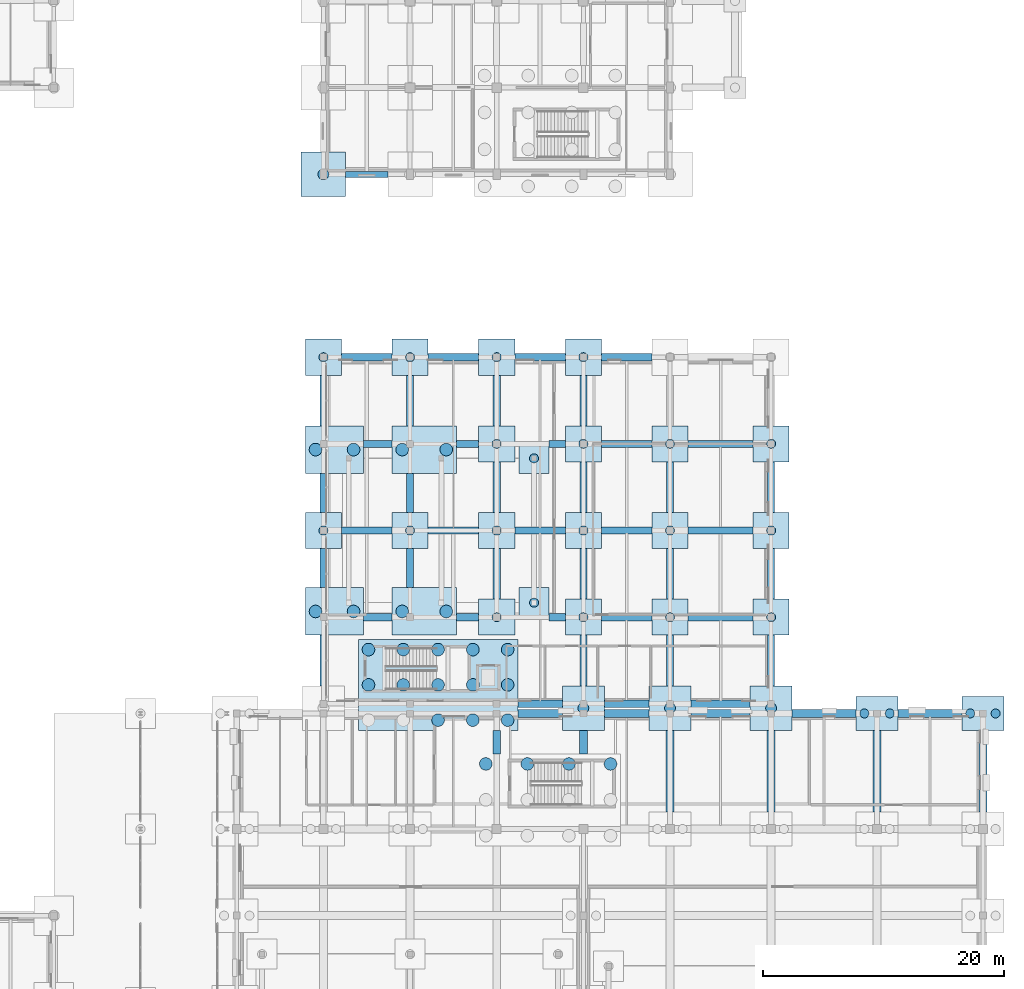
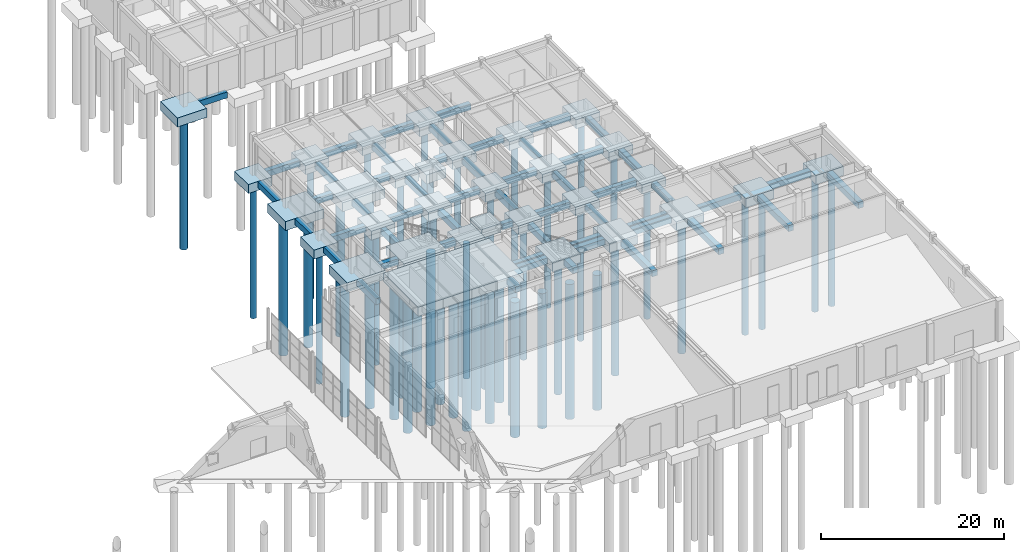
# One storey, part 6 of 91: 85 footings, 53 piles.
"""IFC4 building model written with IfcOpenShell, lengths in metres."""

from ifc_helpers import new_model, si_unit, direction, frame, origin, origin_2d, place, context, subcontext, project, spatial, rectangle, circle, extrude, material, material_profile, profile_set, type_object, element, save


model = new_model("IFC4")

# Units and contexts
model_context = context("Model", 3, precision=1e-05, world=origin(), true_north=direction((0.0, 1.0)))
body_context = subcontext(model_context, "Body", "Model", "MODEL_VIEW")
ifc_project = project(units=[si_unit("LENGTHUNIT", "METRE"), si_unit("AREAUNIT", "SQUARE_METRE"), si_unit("VOLUMEUNIT", "CUBIC_METRE"), si_unit("PLANEANGLEUNIT", "RADIAN"), si_unit("MASSUNIT", "GRAM", prefix="KILO")], contexts=[model_context])

# Site, building, storey
site_placement = place(None, origin())
site = spatial("IfcSite", under=ifc_project, at=site_placement, CompositionType="ELEMENT")
building_placement = place(site_placement, origin())
building = spatial("IfcBuilding", under=site, at=building_placement, Name="Bramveld Media Centre", CompositionType="ELEMENT")
storey_placement = place(building_placement, origin())
storey = spatial("IfcBuildingStorey", under=building, at=storey_placement, Name="L00", CompositionType="ELEMENT", Elevation=0.0)

# Footings
ifc_material_1 = material(Name="Concrete C35/45", Category="concrete")
footing_type_1 = type_object("IfcFootingType", Name="GB-500x800", PredefinedType="FOOTING_BEAM", material=ifc_material_1)
footing_1_placement = place(storey_placement, frame((134.800048828125, 83.199951171875, -0.7998046875), z_axis=(0.0, 0.0, 1.0), x_axis=(1.0, 0.0, 0.0)))
element("IfcFooting", 1, at=footing_1_placement, inside=storey, type_object=footing_type_1, Name="V7 ground beam X-323", PredefinedType="FOOTING_BEAM", context=body_context, shape_type="SweptSolid", body=[
    extrude(rectangle(XDim=3.5, YDim=0.5, at=origin_2d()), origin(), (0.0, 0.0, 1.0), 0.800048828125),
])
ifc_material_2 = material(Name="Concrete C35/45", Category="concrete")
footing_type_2 = type_object("IfcFootingType", Name="GB-600x800", PredefinedType="FOOTING_BEAM", material=ifc_material_2)
for number, where, z_axis, x_axis, name in (
    (2, (149.199951171875, 39.199951171875, -0.7998046875), (0.0, 0.0, 1.0), (1.0, 0.0, 0.0), "V4 ground beam X-161"),
    (3, (156.39990234375, 39.199951171875, -0.7998046875), (0.0, 0.0, 1.0), (1.0, 0.0, 0.0), "V4 ground beam X-162"),
):
    element("IfcFooting", number, at=place(storey_placement, frame(where, z_axis=z_axis, x_axis=x_axis)), inside=storey, type_object=footing_type_2, Name=name, PredefinedType="FOOTING_BEAM", context=body_context, shape_type="SweptSolid", body=[
        extrude(rectangle(XDim=3.699951171875, YDim=0.60009765625, at=origin_2d()), origin(), (0.0, 0.0, 1.0), 0.800048828125),
    ])
footing_2_placement = place(storey_placement, frame((164.199951171875, 39.199951171875, -0.7998046875), z_axis=(0.0, 0.0, 1.0), x_axis=(1.0, 0.0, 0.0)))
element("IfcFooting", 4, at=footing_2_placement, inside=storey, type_object=footing_type_2, Name="V4 ground beam X-163", PredefinedType="FOOTING_BEAM", context=body_context, shape_type="SweptSolid", body=[
    extrude(rectangle(XDim=4.89990234375, YDim=0.60009765625, at=origin_2d()), origin(), (0.0, 0.0, 1.0), 0.800048828125),
])
footing_3_placement = place(storey_placement, frame((135.72509765625, 46.39990234375, -0.7998046875), z_axis=(0.0, 0.0, 1.0), x_axis=(1.0, 0.0, 0.0)))
element("IfcFooting", 5, at=footing_3_placement, inside=storey, type_object=footing_type_2, Name="V4 ground beam X-164", PredefinedType="FOOTING_BEAM", context=body_context, shape_type="SweptSolid", body=[
    extrude(rectangle(XDim=2.35009765625, YDim=0.60009765625, at=origin_2d()), origin(), (0.0, 0.0, 1.0), 0.800048828125),
])
footing_4_placement = place(storey_placement, frame((143.175048828125, 46.39990234375, -0.7998046875), z_axis=(0.0, 0.0, 1.0), x_axis=(1.0, 0.0, 0.0)))
element("IfcFooting", 6, at=footing_4_placement, inside=storey, type_object=footing_type_2, Name="V4 ground beam X-165", PredefinedType="FOOTING_BEAM", context=body_context, shape_type="SweptSolid", body=[
    extrude(rectangle(XDim=1.85009765625, YDim=0.60009765625, at=origin_2d()), origin(), (0.0, 0.0, 1.0), 0.800048828125),
])
footing_5_placement = place(storey_placement, frame((150.625, 46.39990234375, -0.7998046875), z_axis=(0.0, 0.0, 1.0), x_axis=(1.0, 0.0, 0.0)))
element("IfcFooting", 7, at=footing_5_placement, inside=storey, type_object=footing_type_2, Name="V4 ground beam X-166", PredefinedType="FOOTING_BEAM", context=body_context, shape_type="SweptSolid", body=[
    extrude(rectangle(XDim=1.35009765625, YDim=0.60009765625, at=origin_2d()), origin(), (0.0, 0.0, 1.0), 0.800048828125),
])
footing_6_placement = place(storey_placement, frame((156.39990234375, 46.39990234375, -0.7998046875), z_axis=(0.0, 0.0, 1.0), x_axis=(1.0, 0.0, 0.0)))
element("IfcFooting", 8, at=footing_6_placement, inside=storey, type_object=footing_type_2, Name="V4 ground beam X-167", PredefinedType="FOOTING_BEAM", context=body_context, shape_type="SweptSolid", body=[
    extrude(rectangle(XDim=4.199951171875, YDim=0.60009765625, at=origin_2d()), origin(), (0.0, 0.0, 1.0), 0.800048828125),
])
footing_7_placement = place(storey_placement, frame((164.199951171875, 46.39990234375, -0.7998046875), z_axis=(0.0, 0.0, 1.0), x_axis=(1.0, 0.0, 0.0)))
element("IfcFooting", 9, at=footing_7_placement, inside=storey, type_object=footing_type_2, Name="V4 ground beam X-168", PredefinedType="FOOTING_BEAM", context=body_context, shape_type="SweptSolid", body=[
    extrude(rectangle(XDim=5.39990234375, YDim=0.60009765625, at=origin_2d()), origin(), (0.0, 0.0, 1.0), 0.800048828125),
])
for number, where, z_axis, x_axis, name in (
    (10, (134.800048828125, 53.60009765625, -0.7998046875), (0.0, 0.0, 1.0), (1.0, 0.0, 0.0), "V4 ground beam X-169"),
    (11, (142.0, 53.60009765625, -0.7998046875), (0.0, 0.0, 1.0), (1.0, 0.0, 0.0), "V4 ground beam X-170"),
    (12, (149.199951171875, 53.60009765625, -0.7998046875), (0.0, 0.0, 1.0), (1.0, 0.0, 0.0), "V4 ground beam X-171"),
    (13, (156.39990234375, 53.60009765625, -0.7998046875), (0.0, 0.0, 1.0), (1.0, 0.0, 0.0), "V4 ground beam X-172"),
):
    element("IfcFooting", number, at=place(storey_placement, frame(where, z_axis=z_axis, x_axis=x_axis)), inside=storey, type_object=footing_type_2, Name=name, PredefinedType="FOOTING_BEAM", context=body_context, shape_type="SweptSolid", body=[
        extrude(rectangle(XDim=4.199951171875, YDim=0.60009765625, at=origin_2d()), origin(), (0.0, 0.0, 1.0), 0.800048828125),
    ])
footing_8_placement = place(storey_placement, frame((164.199951171875, 53.60009765625, -0.7998046875), z_axis=(0.0, 0.0, 1.0), x_axis=(1.0, 0.0, 0.0)))
element("IfcFooting", 14, at=footing_8_placement, inside=storey, type_object=footing_type_2, Name="V4 ground beam X-173", PredefinedType="FOOTING_BEAM", context=body_context, shape_type="SweptSolid", body=[
    extrude(rectangle(XDim=5.39990234375, YDim=0.60009765625, at=origin_2d()), origin(), (0.0, 0.0, 1.0), 0.800048828125),
])
footing_9_placement = place(storey_placement, frame((135.72509765625, 60.800048828125, -0.7998046875), z_axis=(0.0, 0.0, 1.0), x_axis=(1.0, 0.0, 0.0)))
element("IfcFooting", 15, at=footing_9_placement, inside=storey, type_object=footing_type_2, Name="V4 ground beam X-174", PredefinedType="FOOTING_BEAM", context=body_context, shape_type="SweptSolid", body=[
    extrude(rectangle(XDim=2.35009765625, YDim=0.60009765625, at=origin_2d()), origin(), (0.0, 0.0, 1.0), 0.800048828125),
])
footing_10_placement = place(storey_placement, frame((143.175048828125, 60.800048828125, -0.7998046875), z_axis=(0.0, 0.0, 1.0), x_axis=(1.0, 0.0, 0.0)))
element("IfcFooting", 16, at=footing_10_placement, inside=storey, type_object=footing_type_2, Name="V4 ground beam X-175", PredefinedType="FOOTING_BEAM", context=body_context, shape_type="SweptSolid", body=[
    extrude(rectangle(XDim=1.85009765625, YDim=0.60009765625, at=origin_2d()), origin(), (0.0, 0.0, 1.0), 0.800048828125),
])
footing_11_placement = place(storey_placement, frame((150.625, 60.800048828125, -0.7998046875), z_axis=(0.0, 0.0, 1.0), x_axis=(1.0, 0.0, 0.0)))
element("IfcFooting", 17, at=footing_11_placement, inside=storey, type_object=footing_type_2, Name="V4 ground beam X-176", PredefinedType="FOOTING_BEAM", context=body_context, shape_type="SweptSolid", body=[
    extrude(rectangle(XDim=1.35009765625, YDim=0.60009765625, at=origin_2d()), origin(), (0.0, 0.0, 1.0), 0.800048828125),
])
footing_12_placement = place(storey_placement, frame((156.39990234375, 60.800048828125, -0.7998046875), z_axis=(0.0, 0.0, 1.0), x_axis=(1.0, 0.0, 0.0)))
element("IfcFooting", 18, at=footing_12_placement, inside=storey, type_object=footing_type_2, Name="V4 ground beam X-177", PredefinedType="FOOTING_BEAM", context=body_context, shape_type="SweptSolid", body=[
    extrude(rectangle(XDim=4.199951171875, YDim=0.60009765625, at=origin_2d()), origin(), (0.0, 0.0, 1.0), 0.800048828125),
])
footing_13_placement = place(storey_placement, frame((164.199951171875, 60.800048828125, -0.7998046875), z_axis=(0.0, 0.0, 1.0), x_axis=(1.0, 0.0, 0.0)))
element("IfcFooting", 19, at=footing_13_placement, inside=storey, type_object=footing_type_2, Name="V4 ground beam X-178", PredefinedType="FOOTING_BEAM", context=body_context, shape_type="SweptSolid", body=[
    extrude(rectangle(XDim=5.39990234375, YDim=0.60009765625, at=origin_2d()), origin(), (0.0, 0.0, 1.0), 0.800048828125),
])
for number, where, z_axis, x_axis, name in (
    (20, (134.800048828125, 68.0, -0.7998046875), (0.0, 0.0, 1.0), (1.0, 0.0, 0.0), "V4 ground beam X-179"),
    (21, (142.0, 68.0, -0.7998046875), (0.0, 0.0, 1.0), (1.0, 0.0, 0.0), "V4 ground beam X-180"),
    (22, (149.199951171875, 68.0, -0.7998046875), (0.0, 0.0, 1.0), (1.0, 0.0, 0.0), "V4 ground beam X-181"),
    (23, (156.39990234375, 68.0, -0.7998046875), (0.0, 0.0, 1.0), (1.0, 0.0, 0.0), "V4 ground beam X-182"),
):
    element("IfcFooting", number, at=place(storey_placement, frame(where, z_axis=z_axis, x_axis=x_axis)), inside=storey, type_object=footing_type_2, Name=name, PredefinedType="FOOTING_BEAM", context=body_context, shape_type="SweptSolid", body=[
        extrude(rectangle(XDim=4.199951171875, YDim=0.60009765625, at=origin_2d()), origin(), (0.0, 0.0, 1.0), 0.800048828125),
    ])
footing_14_placement = place(storey_placement, frame((131.199951171875, 42.800048828125, -0.7998046875), z_axis=(0.0, 0.0, 1.0), x_axis=(1.0, 0.0, 0.0)))
element("IfcFooting", 24, at=footing_14_placement, inside=storey, type_object=footing_type_2, Name="V4 ground beam Y-184", PredefinedType="FOOTING_BEAM", context=body_context, shape_type="SweptSolid", body=[
    extrude(rectangle(XDim=0.60009765625, YDim=4.199951171875, at=origin_2d()), origin(), (0.0, 0.0, 1.0), 0.800048828125),
])
for number, where, z_axis, x_axis, name in (
    (25, (131.199951171875, 50.47509765625, -0.7998046875), (0.0, 0.0, 1.0), (1.0, 0.0, 0.0), "V4 ground beam Y-185"),
    (26, (131.199951171875, 56.72509765625, -0.7998046875), (0.0, 0.0, 1.0), (1.0, 0.0, 0.0), "V4 ground beam Y-186"),
):
    element("IfcFooting", number, at=place(storey_placement, frame(where, z_axis=z_axis, x_axis=x_axis)), inside=storey, type_object=footing_type_2, Name=name, PredefinedType="FOOTING_BEAM", context=body_context, shape_type="SweptSolid", body=[
        extrude(rectangle(XDim=0.60009765625, YDim=3.25, at=origin_2d()), origin(), (0.0, 0.0, 1.0), 0.800048828125),
    ])
footing_15_placement = place(storey_placement, frame((131.199951171875, 64.39990234375, -0.7998046875), z_axis=(0.0, 0.0, 1.0), x_axis=(1.0, 0.0, 0.0)))
element("IfcFooting", 27, at=footing_15_placement, inside=storey, type_object=footing_type_2, Name="V4 ground beam Y-187", PredefinedType="FOOTING_BEAM", context=body_context, shape_type="SweptSolid", body=[
    extrude(rectangle(XDim=0.60009765625, YDim=4.199951171875, at=origin_2d()), origin(), (0.0, 0.0, 1.0), 0.800048828125),
])
for number, where, z_axis, x_axis, name in (
    (28, (138.39990234375, 50.47509765625, -0.7998046875), (0.0, 0.0, 1.0), (1.0, 0.0, 0.0), "V4 ground beam Y-188"),
    (29, (138.39990234375, 56.72509765625, -0.7998046875), (0.0, 0.0, 1.0), (1.0, 0.0, 0.0), "V4 ground beam Y-189"),
):
    element("IfcFooting", number, at=place(storey_placement, frame(where, z_axis=z_axis, x_axis=x_axis)), inside=storey, type_object=footing_type_2, Name=name, PredefinedType="FOOTING_BEAM", context=body_context, shape_type="SweptSolid", body=[
        extrude(rectangle(XDim=0.60009765625, YDim=3.25, at=origin_2d()), origin(), (0.0, 0.0, 1.0), 0.800048828125),
    ])
for number, where, z_axis, x_axis, name in (
    (30, (138.39990234375, 64.39990234375, -0.7998046875), (0.0, 0.0, 1.0), (1.0, 0.0, 0.0), "V4 ground beam Y-190"),
    (31, (145.60009765625, 50.0, -0.7998046875), (0.0, 0.0, 1.0), (1.0, 0.0, 0.0), "V4 ground beam Y-191"),
    (32, (145.60009765625, 57.199951171875, -0.7998046875), (0.0, 0.0, 1.0), (1.0, 0.0, 0.0), "V4 ground beam Y-192"),
    (33, (145.60009765625, 64.39990234375, -0.7998046875), (0.0, 0.0, 1.0), (1.0, 0.0, 0.0), "V4 ground beam Y-193"),
    (34, (152.800048828125, 42.800048828125, -0.7998046875), (0.0, 0.0, 1.0), (1.0, 0.0, 0.0), "V4 ground beam Y-194"),
    (35, (152.800048828125, 50.0, -0.7998046875), (0.0, 0.0, 1.0), (1.0, 0.0, 0.0), "V4 ground beam Y-195"),
    (36, (152.800048828125, 57.199951171875, -0.7998046875), (0.0, 0.0, 1.0), (1.0, 0.0, 0.0), "V4 ground beam Y-196"),
    (37, (152.800048828125, 64.39990234375, -0.7998046875), (0.0, 0.0, 1.0), (1.0, 0.0, 0.0), "V4 ground beam Y-197"),
    (38, (160.0, 42.800048828125, -0.7998046875), (0.0, 0.0, 1.0), (1.0, 0.0, 0.0), "V4 ground beam Y-198"),
    (39, (160.0, 50.0, -0.7998046875), (0.0, 0.0, 1.0), (1.0, 0.0, 0.0), "V4 ground beam Y-199"),
    (40, (160.0, 57.199951171875, -0.7998046875), (0.0, 0.0, 1.0), (1.0, 0.0, 0.0), "V4 ground beam Y-200"),
    (41, (168.39990234375, 42.800048828125, -0.7998046875), (0.0, 0.0, 1.0), (1.0, 0.0, 0.0), "V4 ground beam Y-202"),
    (42, (168.39990234375, 50.0, -0.7998046875), (0.0, 0.0, 1.0), (1.0, 0.0, 0.0), "V4 ground beam Y-203"),
    (43, (168.39990234375, 57.199951171875, -0.7998046875), (0.0, 0.0, 1.0), (1.0, 0.0, 0.0), "V4 ground beam Y-204"),
):
    element("IfcFooting", number, at=place(storey_placement, frame(where, z_axis=z_axis, x_axis=x_axis)), inside=storey, type_object=footing_type_2, Name=name, PredefinedType="FOOTING_BEAM", context=body_context, shape_type="SweptSolid", body=[
        extrude(rectangle(XDim=0.60009765625, YDim=4.199951171875, at=origin_2d()), origin(), (0.0, 0.0, 1.0), 0.800048828125),
    ])
ifc_material_3 = material(Name="Concrete C35/45", Category="concrete")
footing_type_3 = type_object("IfcFootingType", Name="GB-650x800", PredefinedType="FOOTING_BEAM", material=ifc_material_3)
for number, where, z_axis, x_axis, name in (
    (44, (149.199951171875, 38.39990234375, -0.7998046875), (0.0, 0.0, 1.0), (1.0, 0.0, 0.0), "V1 ground beam X-24"),
    (45, (156.39990234375, 38.39990234375, -0.7998046875), (0.0, 0.0, 1.0), (1.0, 0.0, 0.0), "V1 ground beam X-25"),
):
    element("IfcFooting", number, at=place(storey_placement, frame(where, z_axis=z_axis, x_axis=x_axis)), inside=storey, type_object=footing_type_3, Name=name, PredefinedType="FOOTING_BEAM", context=body_context, shape_type="SweptSolid", body=[
        extrude(rectangle(XDim=3.699951171875, YDim=0.64990234375, at=origin_2d()), origin(), (0.0, 0.0, 1.0), 0.800048828125),
    ])
footing_16_placement = place(storey_placement, frame((164.199951171875, 38.39990234375, -0.7998046875), z_axis=(0.0, 0.0, 1.0), x_axis=(1.0, 0.0, 0.0)))
element("IfcFooting", 46, at=footing_16_placement, inside=storey, type_object=footing_type_3, Name="V1 ground beam X-26", PredefinedType="FOOTING_BEAM", context=body_context, shape_type="SweptSolid", body=[
    extrude(rectangle(XDim=4.89990234375, YDim=0.64990234375, at=origin_2d()), origin(), (0.0, 0.0, 1.0), 0.800048828125),
])
for number, where, z_axis, x_axis, name in (
    (47, (172.800048828125, 38.39990234375, -0.7998046875), (0.0, 0.0, 1.0), (1.0, 0.0, 0.0), "V1 ground beam X-27"),
    (48, (181.60009765625, 38.39990234375, -0.7998046875), (0.0, 0.0, 1.0), (1.0, 0.0, 0.0), "V1 ground beam X-28"),
):
    element("IfcFooting", number, at=place(storey_placement, frame(where, z_axis=z_axis, x_axis=x_axis)), inside=storey, type_object=footing_type_3, Name=name, PredefinedType="FOOTING_BEAM", context=body_context, shape_type="SweptSolid", body=[
        extrude(rectangle(XDim=5.300048828125, YDim=0.64990234375, at=origin_2d()), origin(), (0.0, 0.0, 1.0), 0.800048828125),
    ])
for number, where, z_axis, x_axis, name in (
    (49, (145.60009765625, 36.02490234375, -0.7998046875), (0.0, 0.0, 1.0), (1.0, 0.0, 0.0), "V1 ground beam Y-40"),
    (50, (152.800048828125, 36.02490234375, -0.7998046875), (0.0, 0.0, 1.0), (1.0, 0.0, 0.0), "V1 ground beam Y-45"),
):
    element("IfcFooting", number, at=place(storey_placement, frame(where, z_axis=z_axis, x_axis=x_axis)), inside=storey, type_object=footing_type_3, Name=name, PredefinedType="FOOTING_BEAM", context=body_context, shape_type="SweptSolid", body=[
        extrude(rectangle(XDim=0.64990234375, YDim=1.949951171875, at=origin_2d()), origin(), (0.0, 0.0, 1.0), 0.800048828125),
    ])
for number, where, z_axis, x_axis, name in (
    (51, (160.0, 33.60009765625, -0.7998046875), (0.0, 0.0, 1.0), (1.0, 0.0, 0.0), "V1 ground beam Y-47"),
    (52, (168.39990234375, 33.60009765625, -0.7998046875), (0.0, 0.0, 1.0), (1.0, 0.0, 0.0), "V1 ground beam Y-50"),
    (53, (177.199951171875, 33.60009765625, -0.7998046875), (0.0, 0.0, 1.0), (1.0, 0.0, 0.0), "V1 ground beam Y-52"),
    (54, (186.0, 33.60009765625, -0.7998046875), (0.0, 0.0, 1.0), (1.0, 0.0, 0.0), "V1 ground beam Y-57"),
):
    element("IfcFooting", number, at=place(storey_placement, frame(where, z_axis=z_axis, x_axis=x_axis)), inside=storey, type_object=footing_type_3, Name=name, PredefinedType="FOOTING_BEAM", context=body_context, shape_type="SweptSolid", body=[
        extrude(rectangle(XDim=0.64990234375, YDim=6.800048828125, at=origin_2d()), origin(), (0.0, 0.0, 1.0), 0.800048828125),
    ])
ifc_material_4 = material(Name="Concrete C35/45", Category="concrete")
footing_type_4 = type_object("IfcFootingType", Name="PC-1325x755x1200", PredefinedType="PILE_CAP", material=ifc_material_4)
footing_17_placement = place(storey_placement, frame((140.72509765625, 40.77490234375, -1.2001953125), z_axis=(0.0, 0.0, 1.0), x_axis=(1.0, 0.0, 0.0)))
element("IfcFooting", 55, at=footing_17_placement, inside=storey, type_object=footing_type_4, Name="Reinforced concrete pile cap 157", PredefinedType="PILE_CAP", context=body_context, shape_type="SweptSolid", body=[
    extrude(rectangle(XDim=13.25, YDim=7.550048828125, at=origin_2d()), origin(), (0.0, 0.0, 1.0), 1.199951171875),
])
ifc_material_5 = material(Name="Concrete C35/45", Category="concrete")
footing_type_5 = type_object("IfcFootingType", Name="PC-250x250x1200", PredefinedType="PILE_CAP", material=ifc_material_5)
for number, where, z_axis, x_axis, name in (
    (56, (148.699951171875, 47.60009765625, -1.2001953125), (0.0, 0.0, 1.0), (1.0, 0.0, 0.0), "Reinforced concrete pile cap 177"),
    (57, (148.699951171875, 59.60009765625, -1.2001953125), (0.0, 0.0, 1.0), (1.0, 0.0, 0.0), "Reinforced concrete pile cap 178"),
):
    element("IfcFooting", number, at=place(storey_placement, frame(where, z_axis=z_axis, x_axis=x_axis)), inside=storey, type_object=footing_type_5, Name=name, PredefinedType="PILE_CAP", context=body_context, shape_type="SweptSolid", body=[
        extrude(rectangle(XDim=2.5, YDim=2.5, at=origin_2d()), origin(), (0.0, 0.0, 1.0), 1.199951171875),
    ])
ifc_material_6 = material(Name="Concrete C35/45", Category="concrete")
footing_type_6 = type_object("IfcFootingType", Name="PC-300x300x1200", PredefinedType="PILE_CAP", material=ifc_material_6)
for number, where, z_axis, x_axis, name in (
    (58, (131.199951171875, 53.60009765625, -1.2001953125), (0.0, 0.0, 1.0), (1.0, 0.0, 0.0), "Reinforced concrete pile cap 154"),
    (59, (131.199951171875, 68.0, -1.2001953125), (0.0, 0.0, 1.0), (1.0, 0.0, 0.0), "Reinforced concrete pile cap 156"),
    (60, (138.39990234375, 53.60009765625, -1.2001953125), (0.0, 0.0, 1.0), (1.0, 0.0, 0.0), "Reinforced concrete pile cap 165"),
    (61, (138.39990234375, 68.0, -1.2001953125), (0.0, 0.0, 1.0), (1.0, 0.0, 0.0), "Reinforced concrete pile cap 167"),
    (62, (145.60009765625, 46.39990234375, -1.2001953125), (0.0, 0.0, 1.0), (1.0, 0.0, 0.0), "Reinforced concrete pile cap 173"),
    (63, (145.60009765625, 53.60009765625, -1.2001953125), (0.0, 0.0, 1.0), (1.0, 0.0, 0.0), "Reinforced concrete pile cap 174"),
    (64, (145.60009765625, 60.800048828125, -1.2001953125), (0.0, 0.0, 1.0), (1.0, 0.0, 0.0), "Reinforced concrete pile cap 175"),
    (65, (145.60009765625, 68.0, -1.2001953125), (0.0, 0.0, 1.0), (1.0, 0.0, 0.0), "Reinforced concrete pile cap 176"),
    (66, (152.800048828125, 46.39990234375, -1.2001953125), (0.0, 0.0, 1.0), (1.0, 0.0, 0.0), "Reinforced concrete pile cap 186"),
    (67, (152.800048828125, 53.60009765625, -1.2001953125), (0.0, 0.0, 1.0), (1.0, 0.0, 0.0), "Reinforced concrete pile cap 187"),
    (68, (152.800048828125, 60.800048828125, -1.2001953125), (0.0, 0.0, 1.0), (1.0, 0.0, 0.0), "Reinforced concrete pile cap 188"),
    (69, (152.800048828125, 68.0, -1.2001953125), (0.0, 0.0, 1.0), (1.0, 0.0, 0.0), "Reinforced concrete pile cap 189"),
    (70, (160.0, 46.39990234375, -1.2001953125), (0.0, 0.0, 1.0), (1.0, 0.0, 0.0), "Reinforced concrete pile cap 199"),
    (71, (160.0, 53.60009765625, -1.2001953125), (0.0, 0.0, 1.0), (1.0, 0.0, 0.0), "Reinforced concrete pile cap 200"),
    (72, (160.0, 60.800048828125, -1.2001953125), (0.0, 0.0, 1.0), (1.0, 0.0, 0.0), "Reinforced concrete pile cap 201"),
    (73, (168.39990234375, 46.39990234375, -1.2001953125), (0.0, 0.0, 1.0), (1.0, 0.0, 0.0), "Reinforced concrete pile cap 206"),
    (74, (168.39990234375, 53.60009765625, -1.2001953125), (0.0, 0.0, 1.0), (1.0, 0.0, 0.0), "Reinforced concrete pile cap 207"),
    (75, (168.39990234375, 60.800048828125, -1.2001953125), (0.0, 0.0, 1.0), (1.0, 0.0, 0.0), "Reinforced concrete pile cap 208"),
):
    element("IfcFooting", number, at=place(storey_placement, frame(where, z_axis=z_axis, x_axis=x_axis)), inside=storey, type_object=footing_type_6, Name=name, PredefinedType="PILE_CAP", context=body_context, shape_type="SweptSolid", body=[
        extrude(rectangle(XDim=3.0, YDim=3.0, at=origin_2d()), origin(), (0.0, 0.0, 1.0), 1.199951171875),
    ])
ifc_material_7 = material(Name="Concrete C35/45", Category="concrete")
footing_type_7 = type_object("IfcFootingType", Name="PC-350x280x1200", PredefinedType="PILE_CAP", material=ifc_material_7)
for number, where, z_axis, x_axis, name in (
    (76, (177.199951171875, 38.39990234375, -1.2001953125), (0.0, 0.0, 1.0), (1.0, 0.0, 0.0), "Reinforced concrete pile cap 213"),
    (77, (186.0, 38.39990234375, -1.2001953125), (0.0, 0.0, 1.0), (1.0, 0.0, 0.0), "Reinforced concrete pile cap 220"),
):
    element("IfcFooting", number, at=place(storey_placement, frame(where, z_axis=z_axis, x_axis=x_axis)), inside=storey, type_object=footing_type_7, Name=name, PredefinedType="PILE_CAP", context=body_context, shape_type="SweptSolid", body=[
        extrude(rectangle(XDim=3.5, YDim=2.800048828125, at=origin_2d()), origin(), (0.0, 0.0, 1.0), 1.199951171875),
    ])
ifc_material_8 = material(Name="Concrete C35/45", Category="concrete")
footing_type_8 = type_object("IfcFootingType", Name="PC-350x370x1200", PredefinedType="PILE_CAP", material=ifc_material_8)
for number, where, z_axis, x_axis, name in (
    (78, (152.800048828125, 38.85009765625, -1.2001953125), (0.0, 0.0, 1.0), (1.0, 0.0, 0.0), "Reinforced concrete pile cap 185"),
    (79, (160.0, 38.85009765625, -1.2001953125), (0.0, 0.0, 1.0), (1.0, 0.0, 0.0), "Reinforced concrete pile cap 198"),
    (80, (168.39990234375, 38.85009765625, -1.2001953125), (0.0, 0.0, 1.0), (1.0, 0.0, 0.0), "Reinforced concrete pile cap 205"),
):
    element("IfcFooting", number, at=place(storey_placement, frame(where, z_axis=z_axis, x_axis=x_axis)), inside=storey, type_object=footing_type_8, Name=name, PredefinedType="PILE_CAP", context=body_context, shape_type="SweptSolid", body=[
        extrude(rectangle(XDim=3.5, YDim=3.699951171875, at=origin_2d()), origin(), (0.0, 0.0, 1.0), 1.199951171875),
    ])
ifc_material_9 = material(Name="Concrete C35/45", Category="concrete")
footing_type_9 = type_object("IfcFootingType", Name="PC-370x370x1200", PredefinedType="PILE_CAP", material=ifc_material_9)
footing_18_placement = place(storey_placement, frame((131.199951171875, 83.199951171875, -1.2001953125), z_axis=(0.0, 0.0, 1.0), x_axis=(1.0, 0.0, 0.0)))
element("IfcFooting", 81, at=footing_18_placement, inside=storey, type_object=footing_type_9, Name="Reinforced concrete pile cap 145", PredefinedType="PILE_CAP", context=body_context, shape_type="SweptSolid", body=[
    extrude(rectangle(XDim=3.699951171875, YDim=3.699951171875, at=origin_2d()), origin(), (0.0, 0.0, 1.0), 1.199951171875),
])
ifc_material_10 = material(Name="Concrete C35/45", Category="concrete")
footing_type_10 = type_object("IfcFootingType", Name="PC-485x395x1200", PredefinedType="PILE_CAP", material=ifc_material_10)
for number, where, z_axis, x_axis, name in (
    (82, (132.125, 46.875, -1.2001953125), (0.0, 0.0, 1.0), (1.0, 0.0, 0.0), "Reinforced concrete pile cap 153"),
    (83, (132.125, 60.324951171875, -1.2001953125), (0.0, 0.0, 1.0), (1.0, 0.0, 0.0), "Reinforced concrete pile cap 155"),
):
    element("IfcFooting", number, at=place(storey_placement, frame(where, z_axis=z_axis, x_axis=x_axis)), inside=storey, type_object=footing_type_10, Name=name, PredefinedType="PILE_CAP", context=body_context, shape_type="SweptSolid", body=[
        extrude(rectangle(XDim=4.85009765625, YDim=3.949951171875, at=origin_2d()), origin(), (0.0, 0.0, 1.0), 1.199951171875),
    ])
ifc_material_11 = material(Name="Concrete C35/45", Category="concrete")
footing_type_11 = type_object("IfcFootingType", Name="PC-535x395x1200", PredefinedType="PILE_CAP", material=ifc_material_11)
for number, where, z_axis, x_axis, name in (
    (84, (139.574951171875, 46.875, -1.2001953125), (0.0, 0.0, 1.0), (1.0, 0.0, 0.0), "Reinforced concrete pile cap 164"),
    (85, (139.574951171875, 60.324951171875, -1.2001953125), (0.0, 0.0, 1.0), (1.0, 0.0, 0.0), "Reinforced concrete pile cap 166"),
):
    element("IfcFooting", number, at=place(storey_placement, frame(where, z_axis=z_axis, x_axis=x_axis)), inside=storey, type_object=footing_type_11, Name=name, PredefinedType="PILE_CAP", context=body_context, shape_type="SweptSolid", body=[
        extrude(rectangle(XDim=5.35009765625, YDim=3.949951171875, at=origin_2d()), origin(), (0.0, 0.0, 1.0), 1.199951171875),
    ])

# Piles
ifc_material_12 = material(Name="Concrete C35/45", Category="concrete")
ifc_material_profile_1 = material_profile(ifc_material_12, circle(Radius=0.52490234375, at=origin_2d()), Name="BORED D1050")
ifc_profile_set_1 = profile_set([ifc_material_profile_1], Name="Concrete C35/45")
pile_type_1 = type_object("IfcPileType", Name="PILE-BORED-D1050", PredefinedType="BORED", material=ifc_profile_set_1)
for number, where, z_axis, x_axis, name in (
    (86, (130.544921875, 46.875, -1.050048828125), (0.0, 0.0, -1.0), (1.0, 0.0, 0.0), "Bored pile 264"),
    (87, (133.705078125, 46.875, -1.050048828125), (0.0, 0.0, -1.0), (1.0, 0.0, 0.0), "Bored pile 265"),
    (88, (130.544921875, 60.324951171875, -1.050048828125), (0.0, 0.0, -1.0), (1.0, 0.0, 0.0), "Bored pile 267"),
    (89, (133.705078125, 60.324951171875, -1.050048828125), (0.0, 0.0, -1.0), (1.0, 0.0, 0.0), "Bored pile 268"),
    (90, (134.945068359375, 40.77490234375, -1.050048828125), (0.0, 0.0, -1.0), (1.0, 0.0, 0.0), "Bored pile 271"),
    (91, (134.945068359375, 43.705078125, -1.050048828125), (0.0, 0.0, -1.0), (1.0, 0.0, 0.0), "Bored pile 272"),
    (92, (137.8349609375, 40.77490234375, -1.050048828125), (0.0, 0.0, -1.0), (1.0, 0.0, 0.0), "Bored pile 274"),
    (93, (137.8349609375, 43.705078125, -1.050048828125), (0.0, 0.0, -1.0), (1.0, 0.0, 0.0), "Bored pile 275"),
    (94, (140.72509765625, 37.844970703125, -1.050048828125), (0.0, 0.0, -1.0), (1.0, 0.0, 0.0), "Bored pile 276"),
    (95, (140.72509765625, 40.77490234375, -1.050048828125), (0.0, 0.0, -1.0), (1.0, 0.0, 0.0), "Bored pile 277"),
    (96, (140.72509765625, 43.705078125, -1.050048828125), (0.0, 0.0, -1.0), (1.0, 0.0, 0.0), "Bored pile 278"),
    (97, (143.614990234375, 37.844970703125, -1.050048828125), (0.0, 0.0, -1.0), (1.0, 0.0, 0.0), "Bored pile 279"),
    (98, (143.614990234375, 40.77490234375, -1.050048828125), (0.0, 0.0, -1.0), (1.0, 0.0, 0.0), "Bored pile 280"),
    (99, (143.614990234375, 43.705078125, -1.050048828125), (0.0, 0.0, -1.0), (1.0, 0.0, 0.0), "Bored pile 281"),
    (100, (146.5048828125, 37.844970703125, -1.050048828125), (0.0, 0.0, -1.0), (1.0, 0.0, 0.0), "Bored pile 282"),
    (101, (146.5048828125, 40.77490234375, -1.050048828125), (0.0, 0.0, -1.0), (1.0, 0.0, 0.0), "Bored pile 283"),
    (102, (146.5048828125, 43.705078125, -1.050048828125), (0.0, 0.0, -1.0), (1.0, 0.0, 0.0), "Bored pile 284"),
    (103, (137.7451171875, 46.875, -1.050048828125), (0.0, 0.0, -1.0), (1.0, 0.0, 0.0), "Bored pile 324"),
    (104, (141.405029296875, 46.875, -1.050048828125), (0.0, 0.0, -1.0), (1.0, 0.0, 0.0), "Bored pile 325"),
    (105, (137.7451171875, 60.324951171875, -1.050048828125), (0.0, 0.0, -1.0), (1.0, 0.0, 0.0), "Bored pile 327"),
    (106, (141.405029296875, 60.324951171875, -1.050048828125), (0.0, 0.0, -1.0), (1.0, 0.0, 0.0), "Bored pile 328"),
    (107, (144.695068359375, 34.205078125, -1.050048828125), (0.0, 0.0, -1.0), (1.0, 0.0, 0.0), "Bored pile 352"),
    (108, (148.148193359375, 34.205078125, -1.050048828125), (0.0, 0.0, -1.0), (1.0, 0.0, 0.0), "Bored pile 355"),
    (109, (151.601806640625, 34.205078125, -1.050048828125), (0.0, 0.0, -1.0), (1.0, 0.0, 0.0), "Bored pile 358"),
    (110, (155.054931640625, 34.205078125, -1.050048828125), (0.0, 0.0, -1.0), (1.0, 0.0, 0.0), "Bored pile 361"),
):
    element("IfcPile", number, at=place(storey_placement, frame(where, z_axis=z_axis, x_axis=x_axis)), inside=storey, type_object=pile_type_1, Name=name, PredefinedType="BORED", context=body_context, shape_type="SweptSolid", body=[
        extrude(circle(Radius=0.52490234375, at=origin_2d()), origin(), (0.0, 0.0, 1.0), 18.0),
    ])
ifc_material_13 = material(Name="Concrete C35/45", Category="concrete")
ifc_material_profile_2 = material_profile(ifc_material_13, circle(Radius=0.375, at=origin_2d()), Name="BORED D750")
ifc_profile_set_2 = profile_set([ifc_material_profile_2], Name="Concrete C35/45")
pile_type_2 = type_object("IfcPileType", Name="PILE-BORED-D750", PredefinedType="BORED", material=ifc_profile_set_2)
for number, where, z_axis, x_axis, name in (
    (111, (131.199951171875, 53.60009765625, -1.050048828125), (0.0, 0.0, -1.0), (1.0, 0.0, 0.0), "Bored pile 266"),
    (112, (131.199951171875, 68.0, -1.050048828125), (0.0, 0.0, -1.0), (1.0, 0.0, 0.0), "Bored pile 269"),
    (113, (138.39990234375, 53.60009765625, -1.050048828125), (0.0, 0.0, -1.0), (1.0, 0.0, 0.0), "Bored pile 326"),
    (114, (138.39990234375, 68.0, -1.050048828125), (0.0, 0.0, -1.0), (1.0, 0.0, 0.0), "Bored pile 329"),
    (115, (145.60009765625, 46.39990234375, -1.050048828125), (0.0, 0.0, -1.0), (1.0, 0.0, 0.0), "Bored pile 362"),
    (116, (145.60009765625, 53.60009765625, -1.050048828125), (0.0, 0.0, -1.0), (1.0, 0.0, 0.0), "Bored pile 363"),
    (117, (145.60009765625, 60.800048828125, -1.050048828125), (0.0, 0.0, -1.0), (1.0, 0.0, 0.0), "Bored pile 364"),
    (118, (145.60009765625, 68.0, -1.050048828125), (0.0, 0.0, -1.0), (1.0, 0.0, 0.0), "Bored pile 365"),
    (119, (148.699951171875, 47.60009765625, -1.050048828125), (0.0, 0.0, -1.0), (1.0, 0.0, 0.0), "Bored pile 366"),
    (120, (148.699951171875, 59.60009765625, -1.050048828125), (0.0, 0.0, -1.0), (1.0, 0.0, 0.0), "Bored pile 367"),
    (121, (152.800048828125, 46.39990234375, -1.050048828125), (0.0, 0.0, -1.0), (1.0, 0.0, 0.0), "Bored pile 381"),
    (122, (152.800048828125, 53.60009765625, -1.050048828125), (0.0, 0.0, -1.0), (1.0, 0.0, 0.0), "Bored pile 382"),
    (123, (152.800048828125, 60.800048828125, -1.050048828125), (0.0, 0.0, -1.0), (1.0, 0.0, 0.0), "Bored pile 383"),
    (124, (152.800048828125, 68.0, -1.050048828125), (0.0, 0.0, -1.0), (1.0, 0.0, 0.0), "Bored pile 384"),
    (125, (160.0, 46.39990234375, -1.050048828125), (0.0, 0.0, -1.0), (1.0, 0.0, 0.0), "Bored pile 396"),
    (126, (160.0, 53.60009765625, -1.050048828125), (0.0, 0.0, -1.0), (1.0, 0.0, 0.0), "Bored pile 397"),
    (127, (160.0, 60.800048828125, -1.050048828125), (0.0, 0.0, -1.0), (1.0, 0.0, 0.0), "Bored pile 398"),
    (128, (168.39990234375, 46.39990234375, -1.050048828125), (0.0, 0.0, -1.0), (1.0, 0.0, 0.0), "Bored pile 405"),
    (129, (168.39990234375, 53.60009765625, -1.050048828125), (0.0, 0.0, -1.0), (1.0, 0.0, 0.0), "Bored pile 406"),
    (130, (168.39990234375, 60.800048828125, -1.050048828125), (0.0, 0.0, -1.0), (1.0, 0.0, 0.0), "Bored pile 407"),
    (131, (176.14501953125, 38.39990234375, -1.050048828125), (0.0, 0.0, -1.0), (1.0, 0.0, 0.0), "Bored pile 414"),
    (132, (178.2548828125, 38.39990234375, -1.050048828125), (0.0, 0.0, -1.0), (1.0, 0.0, 0.0), "Bored pile 415"),
    (133, (184.945068359375, 38.39990234375, -1.050048828125), (0.0, 0.0, -1.0), (1.0, 0.0, 0.0), "Bored pile 429"),
    (134, (187.054931640625, 38.39990234375, -1.050048828125), (0.0, 0.0, -1.0), (1.0, 0.0, 0.0), "Bored pile 430"),
):
    element("IfcPile", number, at=place(storey_placement, frame(where, z_axis=z_axis, x_axis=x_axis)), inside=storey, type_object=pile_type_2, Name=name, PredefinedType="BORED", context=body_context, shape_type="SweptSolid", body=[
        extrude(circle(Radius=0.375, at=origin_2d()), origin(), (0.0, 0.0, 1.0), 18.0),
    ])
ifc_material_14 = material(Name="Concrete C35/45", Category="concrete")
ifc_material_profile_3 = material_profile(ifc_material_14, circle(Radius=0.449951171875, at=origin_2d()), Name="BORED D900")
ifc_profile_set_3 = profile_set([ifc_material_profile_3], Name="Concrete C35/45")
pile_type_3 = type_object("IfcPileType", Name="PILE-BORED-D900", PredefinedType="BORED", material=ifc_profile_set_3)
for number, where, z_axis, x_axis, name in (
    (135, (131.199951171875, 83.199951171875, -1.050048828125), (0.0, 0.0, -1.0), (1.0, 0.0, 0.0), "Bored pile 254"),
    (136, (152.800048828125, 38.85009765625, -1.050048828125), (0.0, 0.0, -1.0), (1.0, 0.0, 0.0), "Bored pile 380"),
    (137, (160.0, 38.85009765625, -1.050048828125), (0.0, 0.0, -1.0), (1.0, 0.0, 0.0), "Bored pile 395"),
    (138, (168.39990234375, 38.85009765625, -1.050048828125), (0.0, 0.0, -1.0), (1.0, 0.0, 0.0), "Bored pile 404"),
):
    element("IfcPile", number, at=place(storey_placement, frame(where, z_axis=z_axis, x_axis=x_axis)), inside=storey, type_object=pile_type_3, Name=name, PredefinedType="BORED", context=body_context, shape_type="SweptSolid", body=[
        extrude(circle(Radius=0.449951171875, at=origin_2d()), origin(), (0.0, 0.0, 1.0), 18.0),
    ])

save(model, "model.ifc")
